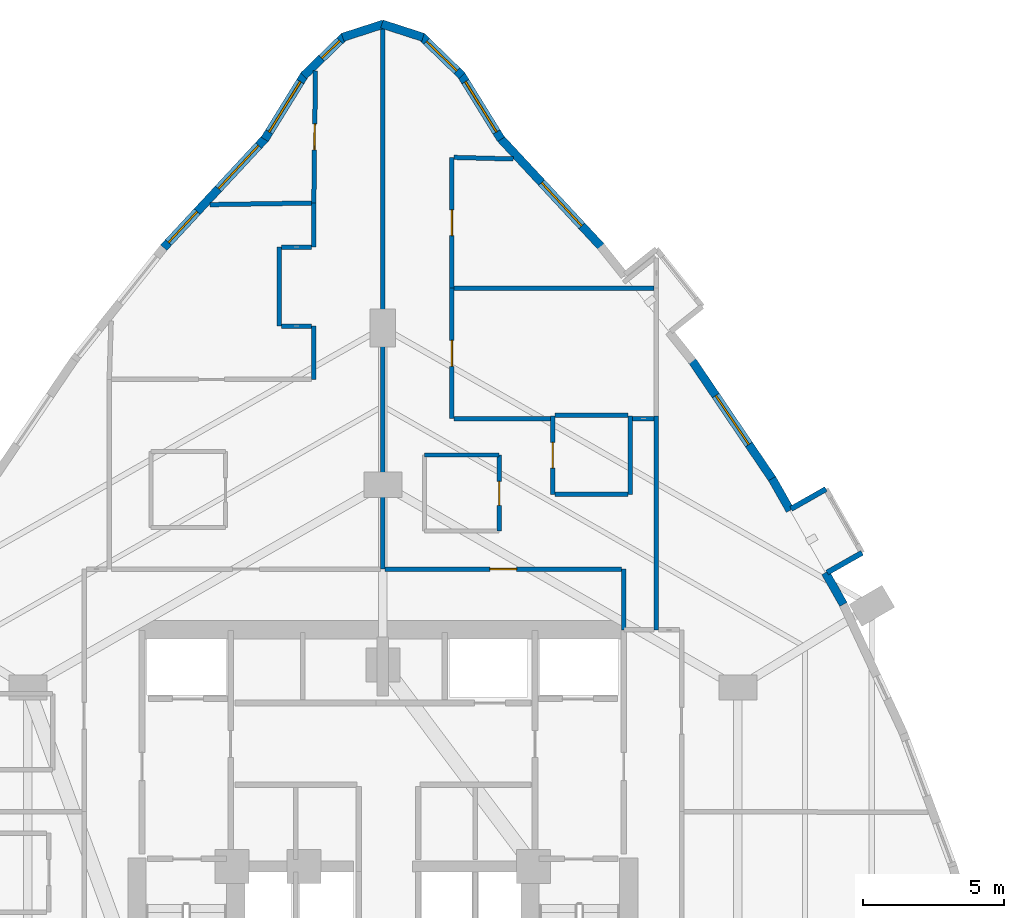
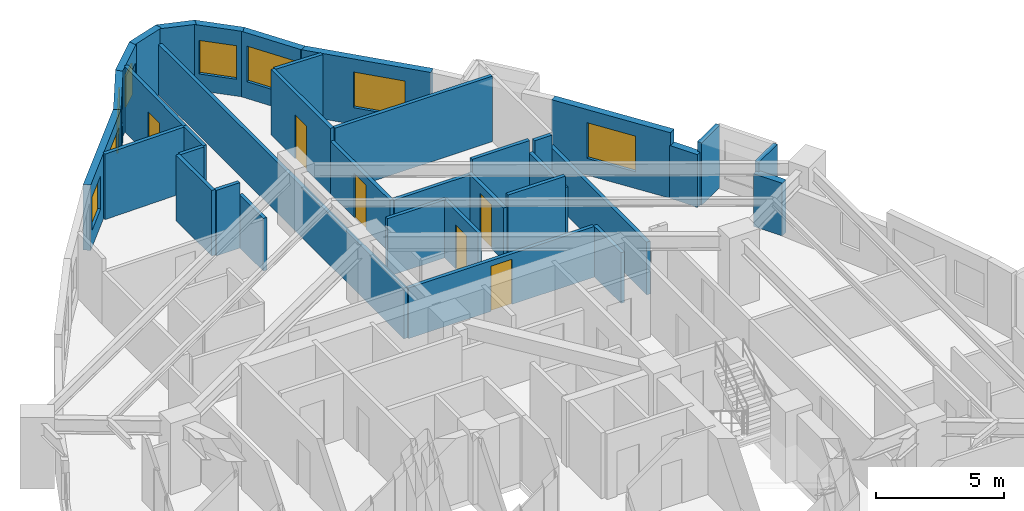
# One storey, part 13 of 15: 36 walls, 8 windows, 6 doors, 14 openings.
"""IFC4 building model written with IfcOpenShell, lengths in metres."""

from ifc_helpers import new_model, si_unit, direction, frame, frame_2d, origin, place, context, subcontext, project, spatial, rectangle, extrude, material, layer, layer_set, type_object, element, fill, save


model = new_model("IFC4")

# Units and contexts
model_context = context("Model", 3, precision=1e-05, world=origin(), true_north=direction((0.0, 1.0)))
body_context = subcontext(model_context, "Body", "Model", "MODEL_VIEW")
ifc_project = project(units=[si_unit("LENGTHUNIT", "METRE"), si_unit("AREAUNIT", "SQUARE_METRE"), si_unit("VOLUMEUNIT", "CUBIC_METRE"), si_unit("PLANEANGLEUNIT", "RADIAN"), si_unit("MASSUNIT", "GRAM", prefix="KILO")], contexts=[model_context])

# Site, building, storey
site_placement = place(None, origin())
site = spatial("IfcSite", under=ifc_project, at=site_placement, CompositionType="ELEMENT")
building_placement = place(site_placement, origin())
building = spatial("IfcBuilding", under=site, at=building_placement, Name="Miruveldt Soraemaru", CompositionType="ELEMENT")
storey_placement = place(building_placement, frame((0.0, 0.0, 83.60009765625)))
storey = spatial("IfcBuildingStorey", under=building, at=storey_placement, Name="L23", CompositionType="ELEMENT", Elevation=83.60009765625)

# Walls
ifc_material_1 = material(Name="White powder-coated aluminium EN AW-6060 T6", Category="aluminium")
ifc_layer_1 = layer(ifc_material_1, 0.18994140625, Name="White powder-coated aluminium EN AW-6060 T6", Category="aluminium")
ifc_layer_set_1 = layer_set([ifc_layer_1], Name="White powder-coated aluminium EN AW-6060 T6")
wall_type_1 = type_object("IfcWallType", Name="WALL-BAY-ALU190", PredefinedType="SOLIDWALL", material=ifc_layer_set_1)
for number, where, z_axis, x_axis, name in (
    (1, (59.7685546875, 54.4794921875, 0.0), (0.0, 0.0, 1.0), (0.869799191674, 0.493405883794, 0.0), "L23 Bay Window Side Cheek 5L"),
    (2, (59.72509765625, 57.444091796875, 0.0), (0.0, 0.0, 1.0), (-0.869799191674, -0.493405883794, 0.0), "L23 Bay Window Side Cheek 5R"),
):
    element("IfcWall", number, at=place(storey_placement, frame(where, z_axis=z_axis, x_axis=x_axis)), inside=storey, type_object=wall_type_1, Name=name, PredefinedType="SOLIDWALL", context=body_context, shape_type="SweptSolid", body=[
        extrude(rectangle(XDim=1.425048828125, YDim=0.18994140625, at=frame_2d((0.71240234375, 0.0))), origin(), (0.0, 0.0, 1.0), 2.974853515625),
    ])

# Wall, opening, window
ifc_material_2 = material(Name="Precast concrete C45/55 (45 MPa)", Category="concrete")
ifc_layer_2 = layer(ifc_material_2, 0.300048828125, Name="Precast concrete C45/55 (45 MPa)", Category="concrete")
ifc_layer_set_2 = layer_set([ifc_layer_2], Name="Precast concrete C45/55 (45 MPa)")
wall_type_2 = type_object("IfcWallType", Name="WALL-EXT-PC300", PredefinedType="SOLIDWALL", material=ifc_layer_set_2)
wall_1_placement = place(storey_placement, frame((48.196044921875, 69.85546875, 0.0), z_axis=(0.0, 0.0, 1.0), x_axis=(-0.526076196346, 0.850437437816, 0.0)))
wall_1 = element("IfcWall", 3, at=wall_1_placement, inside=storey, type_object=wall_type_2, Name="L23 Precast Concrete Facade Wall 1", PredefinedType="SOLIDWALL", context=body_context, shape_type="SweptSolid", body=[
    extrude(rectangle(XDim=2.71728515625, YDim=0.300048828125, at=frame_2d((1.358642578125, 0.0))), origin(), (0.0, 0.0, 1.0), 3.125),
])
opening_1_placement = place(wall_1_placement, frame((0.30810546875, 0.0, 0.800048828125)))
opening_1 = element("IfcOpeningElement", 4, at=opening_1_placement, cuts=wall_1, Name="Opening WN-1", PredefinedType="OPENING", context=body_context, shape_type="SweptSolid", body=[
    extrude(rectangle(XDim=2.10009765625, YDim=1.699951171875, at=frame_2d((1.050048828125, 0.85009765625))), frame((0.0, 0.16015625, 0.0), z_axis=(0.0, -1.0, 0.0), x_axis=(1.0, 0.0, 0.0)), (0.0, 0.0, 1.0), 0.320068359375),
])
ifc_material_3 = material(Name="Triple low-e insulated glazing", Category="glass")
window_type_1 = type_object("IfcWindowType", Name="WIN-PUNCH-2100x1700", PartitioningType="SINGLE_PANEL", PredefinedType="WINDOW", material=ifc_material_3)
window_1_placement = place(opening_1_placement, origin())
window_1 = element("IfcWindow", 5, at=window_1_placement, inside=storey, type_object=window_type_1, Name="L23 Punched Triple-Glazed Window 01.1", OverallHeight=1.699951171875, OverallWidth=2.10009765625, PartitioningType="SINGLE_PANEL", PredefinedType="WINDOW", context=body_context, shape_type="SweptSolid", body=[
    extrude(rectangle(XDim=2.10009765625, YDim=1.699951171875, at=frame_2d((1.050048828125, 0.85009765625))), frame((0.0, 0.030029296875, 0.0), z_axis=(0.0, -1.0, 0.0), x_axis=(1.0, 0.0, 0.0)), (0.0, 0.0, 1.0), 0.06005859375),
])
fill(opening_1, window_1)

wall_2_placement = place(storey_placement, frame((46.810302734375, 72.112060546875, 0.0), z_axis=(0.0, 0.0, 1.0), x_axis=(-0.717834170134, 0.69621412237, 0.0)))
wall_2 = element("IfcWall", 6, at=wall_2_placement, inside=storey, type_object=wall_type_2, Name="L23 Precast Concrete Facade Wall 2", PredefinedType="SOLIDWALL", context=body_context, shape_type="SweptSolid", body=[
    extrude(rectangle(XDim=2.010009765625, YDim=0.300048828125, at=frame_2d((1.0048828125, 0.0))), origin(), (0.0, 0.0, 1.0), 3.125),
])
opening_2_placement = place(wall_2_placement, frame((0.2548828125, 0.0, 0.800048828125)))
opening_2 = element("IfcOpeningElement", 7, at=opening_2_placement, cuts=wall_2, Name="Opening WN-3", PredefinedType="OPENING", context=body_context, shape_type="SweptSolid", body=[
    extrude(rectangle(XDim=1.5, YDim=1.60009765625, at=frame_2d((0.75, 0.800048828125))), frame((0.0, 0.16015625, 0.0), z_axis=(0.0, -1.0, 0.0), x_axis=(1.0, 0.0, 0.0)), (0.0, 0.0, 1.0), 0.320068359375),
])
window_type_2 = type_object("IfcWindowType", Name="WIN-PUNCH-1500x1600", PartitioningType="SINGLE_PANEL", PredefinedType="WINDOW", material=ifc_material_3)
window_2_placement = place(opening_2_placement, origin())
window_2 = element("IfcWindow", 8, at=window_2_placement, inside=storey, type_object=window_type_2, Name="L23 Punched Triple-Glazed Window 02.1", OverallHeight=1.60009765625, OverallWidth=1.5, PartitioningType="SINGLE_PANEL", PredefinedType="WINDOW", context=body_context, shape_type="SweptSolid", body=[
    extrude(rectangle(XDim=1.5, YDim=1.60009765625, at=frame_2d((0.75, 0.800048828125))), frame((0.0, 0.030029296875, 0.0), z_axis=(0.0, -1.0, 0.0), x_axis=(1.0, 0.0, 0.0)), (0.0, 0.0, 1.0), 0.06005859375),
])
fill(opening_2, window_2)

# Walls
for number, where, z_axis, x_axis, name in (
    (9, (45.42578125, 73.476318359375, 0.0), (0.0, 0.0, 1.0), (-0.951510330143, 0.30761679348, 0.0), "L23 Precast Concrete Facade Wall 3"),
    (10, (44.033203125, 73.947998046875, 0.0), (0.0, 0.0, 1.0), (-0.951510330143, -0.30761679348, 0.0), "L23 Precast Concrete Facade Wall 4"),
):
    element("IfcWall", number, at=place(storey_placement, frame(where, z_axis=z_axis, x_axis=x_axis)), inside=storey, type_object=wall_type_2, Name=name, PredefinedType="SOLIDWALL", context=body_context, shape_type="SweptSolid", body=[
        extrude(rectangle(XDim=1.533447265625, YDim=0.300048828125, at=frame_2d((0.7666015625, 0.0))), origin(), (0.0, 0.0, 1.0), 3.125),
    ])

# Wall, opening, window
wall_3_placement = place(storey_placement, frame((42.632568359375, 73.511474609375, 0.0), z_axis=(0.0, 0.0, 1.0), x_axis=(-0.717834170134, -0.69621412237, 0.0)))
wall_3 = element("IfcWall", 11, at=wall_3_placement, inside=storey, type_object=wall_type_2, Name="L23 Precast Concrete Facade Wall 5", PredefinedType="SOLIDWALL", context=body_context, shape_type="SweptSolid", body=[
    extrude(rectangle(XDim=2.010009765625, YDim=0.300048828125, at=frame_2d((1.0048828125, 0.0))), origin(), (0.0, 0.0, 1.0), 3.125),
])
opening_3_placement = place(wall_3_placement, frame((0.222900390625, 0.0, 0.780029296875)))
opening_3 = element("IfcOpeningElement", 12, at=opening_3_placement, cuts=wall_3, Name="Opening WN-7", PredefinedType="OPENING", context=body_context, shape_type="SweptSolid", body=[
    extrude(rectangle(XDim=0.89990234375, YDim=1.5, at=frame_2d((0.449951171875, 0.75))), frame((0.0, 0.16015625, 0.0), z_axis=(0.0, -1.0, 0.0), x_axis=(1.0, 0.0, 0.0)), (0.0, 0.0, 1.0), 0.320068359375),
])
window_type_3 = type_object("IfcWindowType", Name="WIN-PUNCH-900x1500", PartitioningType="SINGLE_PANEL", PredefinedType="WINDOW", material=ifc_material_3)
window_3_placement = place(opening_3_placement, origin())
window_3 = element("IfcWindow", 13, at=window_3_placement, inside=storey, type_object=window_type_3, Name="L23 Punched Triple-Glazed Window 05.1", OverallHeight=1.5, OverallWidth=0.89990234375, PartitioningType="SINGLE_PANEL", PredefinedType="WINDOW", context=body_context, shape_type="SweptSolid", body=[
    extrude(rectangle(XDim=0.89990234375, YDim=1.5, at=frame_2d((0.449951171875, 0.75))), frame((0.0, 0.030029296875, 0.0), z_axis=(0.0, -1.0, 0.0), x_axis=(1.0, 0.0, 0.0)), (0.0, 0.0, 1.0), 0.06005859375),
])
fill(opening_3, window_3)

wall_4_placement = place(storey_placement, frame((41.2333984375, 72.166259765625, 0.0), z_axis=(0.0, 0.0, 1.0), x_axis=(-0.526076196346, -0.850437437816, 0.0)))
wall_4 = element("IfcWall", 14, at=wall_4_placement, inside=storey, type_object=wall_type_2, Name="L23 Precast Concrete Facade Wall 6", PredefinedType="SOLIDWALL", context=body_context, shape_type="SweptSolid", body=[
    extrude(rectangle(XDim=2.71728515625, YDim=0.300048828125, at=frame_2d((1.358642578125, 0.0))), origin(), (0.0, 0.0, 1.0), 3.125),
])
opening_4_placement = place(wall_4_placement, frame((0.30810546875, 0.0, 0.800048828125)))
opening_4 = element("IfcOpeningElement", 15, at=opening_4_placement, cuts=wall_4, Name="Opening WN-1", PredefinedType="OPENING", context=body_context, shape_type="SweptSolid", body=[
    extrude(rectangle(XDim=2.10009765625, YDim=1.699951171875, at=frame_2d((1.050048828125, 0.85009765625))), frame((0.0, 0.16015625, 0.0), z_axis=(0.0, -1.0, 0.0), x_axis=(1.0, 0.0, 0.0)), (0.0, 0.0, 1.0), 0.320068359375),
])
window_4_placement = place(opening_4_placement, origin())
window_4 = element("IfcWindow", 16, at=window_4_placement, inside=storey, type_object=window_type_1, Name="L23 Punched Triple-Glazed Window 06.1", OverallHeight=1.699951171875, OverallWidth=2.10009765625, PartitioningType="SINGLE_PANEL", PredefinedType="WINDOW", context=body_context, shape_type="SweptSolid", body=[
    extrude(rectangle(XDim=2.10009765625, YDim=1.699951171875, at=frame_2d((1.050048828125, 0.85009765625))), frame((0.0, 0.030029296875, 0.0), z_axis=(0.0, -1.0, 0.0), x_axis=(1.0, 0.0, 0.0)), (0.0, 0.0, 1.0), 0.06005859375),
])
fill(opening_4, window_4)

# Wall, openings, windows
wall_5_placement = place(storey_placement, frame((39.84619140625, 69.910888671875, 0.0), z_axis=(0.0, 0.0, 1.0), x_axis=(-0.680888946303, -0.732386675741, 0.0)))
wall_5 = element("IfcWall", 17, at=wall_5_placement, inside=storey, type_object=wall_type_2, Name="L23 Precast Concrete Facade Wall 7", PredefinedType="SOLIDWALL", context=body_context, shape_type="SweptSolid", body=[
    extrude(rectangle(XDim=5.323974609375, YDim=0.300048828125, at=frame_2d((2.662109375, 0.0))), origin(), (0.0, 0.0, 1.0), 3.125),
])
opening_5_placement = place(wall_5_placement, frame((0.373046875, 0.0, 0.800048828125)))
opening_5 = element("IfcOpeningElement", 18, at=opening_5_placement, cuts=wall_5, Name="Opening WN-1", PredefinedType="OPENING", context=body_context, shape_type="SweptSolid", body=[
    extrude(rectangle(XDim=2.10009765625, YDim=1.699951171875, at=frame_2d((1.050048828125, 0.85009765625))), frame((0.0, 0.16015625, 0.0), z_axis=(0.0, -1.0, 0.0), x_axis=(1.0, 0.0, 0.0)), (0.0, 0.0, 1.0), 0.320068359375),
])
opening_6_placement = place(wall_5_placement, frame((3.574951171875, 0.0, 0.800048828125)))
opening_6 = element("IfcOpeningElement", 19, at=opening_6_placement, cuts=wall_5, Name="Opening WN-3", PredefinedType="OPENING", context=body_context, shape_type="SweptSolid", body=[
    extrude(rectangle(XDim=1.5, YDim=1.60009765625, at=frame_2d((0.75, 0.800048828125))), frame((0.0, 0.16015625, 0.0), z_axis=(0.0, -1.0, 0.0), x_axis=(1.0, 0.0, 0.0)), (0.0, 0.0, 1.0), 0.320068359375),
])
window_5_placement = place(opening_6_placement, origin())
window_5 = element("IfcWindow", 20, at=window_5_placement, inside=storey, type_object=window_type_2, Name="L23 Punched Triple-Glazed Window 07.2", OverallHeight=1.60009765625, OverallWidth=1.5, PartitioningType="SINGLE_PANEL", PredefinedType="WINDOW", context=body_context, shape_type="SweptSolid", body=[
    extrude(rectangle(XDim=1.5, YDim=1.60009765625, at=frame_2d((0.75, 0.800048828125))), frame((0.0, 0.030029296875, 0.0), z_axis=(0.0, -1.0, 0.0), x_axis=(1.0, 0.0, 0.0)), (0.0, 0.0, 1.0), 0.06005859375),
])
fill(opening_6, window_5)
window_6_placement = place(opening_5_placement, origin())
window_6 = element("IfcWindow", 21, at=window_6_placement, inside=storey, type_object=window_type_1, Name="L23 Punched Triple-Glazed Window 07.1", OverallHeight=1.699951171875, OverallWidth=2.10009765625, PartitioningType="SINGLE_PANEL", PredefinedType="WINDOW", context=body_context, shape_type="SweptSolid", body=[
    extrude(rectangle(XDim=2.10009765625, YDim=1.699951171875, at=frame_2d((1.050048828125, 0.85009765625))), frame((0.0, 0.030029296875, 0.0), z_axis=(0.0, -1.0, 0.0), x_axis=(1.0, 0.0, 0.0)), (0.0, 0.0, 1.0), 0.06005859375),
])
fill(opening_5, window_6)

# Walls
wall_6_placement = place(storey_placement, frame((60.345703125, 53.3505859375, 0.0), z_axis=(0.0, 0.0, 1.0), x_axis=(-0.493440025399, 0.869779823481, 0.0)))
element("IfcWall", 22, at=wall_6_placement, inside=storey, type_object=wall_type_2, Name="L23 Precast Pier Wall 39A", PredefinedType="SOLIDWALL", context=body_context, shape_type="SweptSolid", body=[
    extrude(rectangle(XDim=1.296875, YDim=0.300048828125, at=frame_2d((0.6484375, 0.0))), origin(), (0.0, 0.0, 1.0), 2.512939453125),
])
wall_7_placement = place(storey_placement, frame((58.45263671875, 56.687744140625, 0.0), z_axis=(0.0, 0.0, 1.0), x_axis=(-0.493297580623, 0.869860619267, 0.0)))
element("IfcWall", 23, at=wall_7_placement, inside=storey, type_object=wall_type_2, Name="L23 Precast Pier Wall 39B", PredefinedType="SOLIDWALL", context=body_context, shape_type="SweptSolid", body=[
    extrude(rectangle(XDim=1.296630859375, YDim=0.300048828125, at=frame_2d((0.6484375, 0.0))), origin(), (0.0, 0.0, 1.0), 2.512939453125),
])

# Wall, opening, window
wall_8_placement = place(storey_placement, frame((57.849853515625, 57.756103515625, 0.0), z_axis=(0.0, 0.0, 1.0), x_axis=(-0.560814703754, 0.827941343365, 0.0)))
wall_8 = element("IfcWall", 24, at=wall_8_placement, inside=storey, type_object=wall_type_2, Name="L23 Precast Concrete Facade Wall 40", PredefinedType="SOLIDWALL", context=body_context, shape_type="SweptSolid", body=[
    extrude(rectangle(XDim=5.165771484375, YDim=0.300048828125, at=frame_2d((2.5830078125, 0.0))), origin(), (0.0, 0.0, 1.0), 3.125),
])
opening_7_placement = place(wall_8_placement, frame((1.532958984375, 0.0, 0.800048828125)))
opening_7 = element("IfcOpeningElement", 25, at=opening_7_placement, cuts=wall_8, Name="Opening WN-1", PredefinedType="OPENING", context=body_context, shape_type="SweptSolid", body=[
    extrude(rectangle(XDim=2.10009765625, YDim=1.699951171875, at=frame_2d((1.050048828125, 0.85009765625))), frame((0.0, 0.16015625, 0.0), z_axis=(0.0, -1.0, 0.0), x_axis=(1.0, 0.0, 0.0)), (0.0, 0.0, 1.0), 0.320068359375),
])
window_7_placement = place(opening_7_placement, origin())
window_7 = element("IfcWindow", 26, at=window_7_placement, inside=storey, type_object=window_type_1, Name="L23 Punched Triple-Glazed Window 40.1", OverallHeight=1.699951171875, OverallWidth=2.10009765625, PartitioningType="SINGLE_PANEL", PredefinedType="WINDOW", context=body_context, shape_type="SweptSolid", body=[
    extrude(rectangle(XDim=2.10009765625, YDim=1.699951171875, at=frame_2d((1.050048828125, 0.85009765625))), frame((0.0, 0.030029296875, 0.0), z_axis=(0.0, -1.0, 0.0), x_axis=(1.0, 0.0, 0.0)), (0.0, 0.0, 1.0), 0.06005859375),
])
fill(opening_7, window_7)

wall_9_placement = place(storey_placement, frame((51.77880859375, 66.01171875, 0.0), z_axis=(0.0, 0.0, 1.0), x_axis=(-0.680888946303, 0.732386675741, 0.0)))
wall_9 = element("IfcWall", 27, at=wall_9_placement, inside=storey, type_object=wall_type_2, Name="L23 Precast Concrete Facade Wall 42", PredefinedType="SOLIDWALL", context=body_context, shape_type="SweptSolid", body=[
    extrude(rectangle(XDim=5.323974609375, YDim=0.300048828125, at=frame_2d((2.662109375, 0.0))), origin(), (0.0, 0.0, 1.0), 3.125),
])
opening_8_placement = place(wall_9_placement, frame((1.054931640625, 0.0, 0.800048828125)))
opening_8 = element("IfcOpeningElement", 28, at=opening_8_placement, cuts=wall_9, Name="Opening WN-1", PredefinedType="OPENING", context=body_context, shape_type="SweptSolid", body=[
    extrude(rectangle(XDim=2.10009765625, YDim=1.699951171875, at=frame_2d((1.050048828125, 0.85009765625))), frame((0.0, 0.16015625, 0.0), z_axis=(0.0, -1.0, 0.0), x_axis=(1.0, 0.0, 0.0)), (0.0, 0.0, 1.0), 0.320068359375),
])
window_8_placement = place(opening_8_placement, origin())
window_8 = element("IfcWindow", 29, at=window_8_placement, inside=storey, type_object=window_type_1, Name="L23 Punched Triple-Glazed Window 42.1", OverallHeight=1.699951171875, OverallWidth=2.10009765625, PartitioningType="SINGLE_PANEL", PredefinedType="WINDOW", context=body_context, shape_type="SweptSolid", body=[
    extrude(rectangle(XDim=2.10009765625, YDim=1.699951171875, at=frame_2d((1.050048828125, 0.85009765625))), frame((0.0, 0.030029296875, 0.0), z_axis=(0.0, -1.0, 0.0), x_axis=(1.0, 0.0, 0.0)), (0.0, 0.0, 1.0), 0.06005859375),
])
fill(opening_8, window_8)

# Wall, opening, door
ifc_material_4 = material(Name="Gypsum plasterboard lining", Category="gypsum")
ifc_layer_3 = layer(ifc_material_4, 0.14990234375, Name="Gypsum plasterboard lining", Category="gypsum")
ifc_layer_set_3 = layer_set([ifc_layer_3], Name="Gypsum plasterboard lining")
wall_type_3 = type_object("IfcWallType", Name="WALL-INT-PLUMB", PredefinedType="PLUMBINGWALL", material=ifc_layer_set_3)
wall_10_placement = place(storey_placement, frame((48.1298828125, 55.95703125, 0.0), z_axis=(0.0, 0.0, 1.0), x_axis=(0.0, 1.0, 0.0)))
wall_10 = element("IfcWall", 30, at=wall_10_placement, inside=storey, type_object=wall_type_3, Name="L23 Partition Wall 34", PredefinedType="PLUMBINGWALL", context=body_context, shape_type="SweptSolid", body=[
    extrude(rectangle(XDim=2.699951171875, YDim=0.14990234375, at=frame_2d((1.35009765625, 0.0))), origin(), (0.0, 0.0, 1.0), 2.762939453125),
])
opening_9_placement = place(wall_10_placement, frame((0.909912109375, 0.0, 0.0)))
opening_9 = element("IfcOpeningElement", 31, at=opening_9_placement, cuts=wall_10, Name="Opening FD3", PredefinedType="OPENING", context=body_context, shape_type="SweptSolid", body=[
    extrude(rectangle(XDim=0.85009765625, YDim=2.10009765625, at=frame_2d((0.425048828125, 1.050048828125))), frame((0.0, 0.0849609375, 0.0), z_axis=(0.0, -1.0, 0.0), x_axis=(1.0, 0.0, 0.0)), (0.0, 0.0, 1.0), 0.169921875),
])
ifc_material_5 = material(Name="Anodised aluminium EN AW-6063 T6", Category="aluminium")
door_type_1 = type_object("IfcDoorType", Name="DOOR-FD3-850", OperationType="NOTDEFINED", PredefinedType="DOOR", material=ifc_material_5)
door_1_placement = place(opening_9_placement, origin())
door_1 = element("IfcDoor", 32, at=door_1_placement, inside=storey, type_object=door_type_1, Name="L23 Unit 2303 BTH Door", OperationType="SINGLE_SWING_LEFT", OverallHeight=2.10009765625, OverallWidth=0.85009765625, PredefinedType="DOOR", context=body_context, shape_type="SweptSolid", body=[
    extrude(rectangle(XDim=0.85009765625, YDim=2.10009765625, at=frame_2d((0.425048828125, 1.050048828125))), frame((0.0, 0.02490234375, 0.0), z_axis=(0.0, -1.0, 0.0), x_axis=(1.0, 0.0, 0.0)), (0.0, 0.0, 1.0), 0.050048828125),
])
fill(opening_9, door_1)

# Wall
wall_11_placement = place(storey_placement, frame((48.1298828125, 58.656982421875, 0.0), z_axis=(0.0, 0.0, 1.0), x_axis=(-1.0, 0.0, 0.0)))
element("IfcWall", 33, at=wall_11_placement, inside=storey, type_object=wall_type_3, Name="L23 Partition Wall 35", PredefinedType="PLUMBINGWALL", context=body_context, shape_type="SweptSolid", body=[
    extrude(rectangle(XDim=2.64990234375, YDim=0.14990234375, at=frame_2d((1.324951171875, 0.0))), origin(), (0.0, 0.0, 1.0), 2.762939453125),
])

# Wall, opening, door
ifc_material_6 = material(Name="Concrete C40/50 (40 MPa)", Category="concrete")
ifc_layer_4 = layer(ifc_material_6, 0.159912109375, Name="Concrete C40/50 (40 MPa)", Category="concrete")
ifc_layer_set_4 = layer_set([ifc_layer_4], Name="Concrete C40/50 (40 MPa)")
wall_type_4 = type_object("IfcWallType", Name="WALL-INT-RC160", PredefinedType="SOLIDWALL", material=ifc_layer_set_4)
wall_12_placement = place(storey_placement, frame((52.469970703125, 54.60009765625, 0.0), z_axis=(0.0, 0.0, 1.0), x_axis=(-1.0, 0.0, 0.0)))
wall_12 = element("IfcWall", 34, at=wall_12_placement, inside=storey, type_object=wall_type_4, Name="L23 Partition Wall 6", PredefinedType="SOLIDWALL", context=body_context, shape_type="SweptSolid", body=[
    extrude(rectangle(XDim=8.389892578125, YDim=0.159912109375, at=frame_2d((4.19482421875, 0.0))), origin(), (0.0, 0.0, 1.0), 2.412841796875),
])
opening_10_placement = place(wall_12_placement, frame((3.719970703125, 0.0, 0.0)))
opening_10 = element("IfcOpeningElement", 35, at=opening_10_placement, cuts=wall_12, Name="Opening FD2", PredefinedType="OPENING", context=body_context, shape_type="SweptSolid", body=[
    extrude(rectangle(XDim=0.949951171875, YDim=2.14990234375, at=frame_2d((0.47509765625, 1.074951171875))), frame((0.0, 0.08984375, 0.0), z_axis=(0.0, -1.0, 0.0), x_axis=(1.0, 0.0, 0.0)), (0.0, 0.0, 1.0), 0.179931640625),
])
door_type_2 = type_object("IfcDoorType", Name="DOOR-FD2-950", OperationType="NOTDEFINED", PredefinedType="DOOR", material=ifc_material_5)
door_2_placement = place(opening_10_placement, origin())
door_2 = element("IfcDoor", 36, at=door_2_placement, inside=storey, type_object=door_type_2, Name="L23 Unit 2303 Entrance Fire Door", OperationType="SINGLE_SWING_RIGHT", OverallHeight=2.14990234375, OverallWidth=0.949951171875, PredefinedType="DOOR", context=body_context, shape_type="SweptSolid", body=[
    extrude(rectangle(XDim=0.949951171875, YDim=2.14990234375, at=frame_2d((0.47509765625, 1.074951171875))), frame((0.0, 0.02490234375, 0.0), z_axis=(0.0, -1.0, 0.0), x_axis=(1.0, 0.0, 0.0)), (0.0, 0.0, 1.0), 0.050048828125),
])
fill(opening_10, door_2)

wall_13_placement = place(storey_placement, frame((41.60888671875, 72.2890625, 0.0), z_axis=(0.0, 0.0, 1.0), x_axis=(-0.012536079815, -0.999921420264, 0.0)))
wall_13 = element("IfcWall", 37, at=wall_13_placement, inside=storey, type_object=wall_type_4, Name="L23 Partition Wall 31", PredefinedType="SOLIDWALL", context=body_context, shape_type="SweptSolid", body=[
    extrude(rectangle(XDim=4.693603515625, YDim=0.159912109375, at=frame_2d((2.3466796875, 0.0))), origin(), (0.0, 0.0, 1.0), 3.125),
])
opening_11_placement = place(wall_13_placement, frame((1.886962890625, 0.0, 0.0)))
opening_11 = element("IfcOpeningElement", 38, at=opening_11_placement, cuts=wall_13, Name="Opening D3A", PredefinedType="OPENING", context=body_context, shape_type="SweptSolid", body=[
    extrude(rectangle(XDim=0.919921875, YDim=2.10009765625, at=frame_2d((0.4599609375, 1.050048828125))), frame((0.0, 0.08984375, 0.0), z_axis=(0.0, -1.0, 0.0), x_axis=(1.0, 0.0, 0.0)), (0.0, 0.0, 1.0), 0.179931640625),
])
door_type_3 = type_object("IfcDoorType", Name="DOOR-INT-920", OperationType="NOTDEFINED", PredefinedType="DOOR", material=ifc_material_5)
door_3_placement = place(opening_11_placement, origin())
door_3 = element("IfcDoor", 39, at=door_3_placement, inside=storey, type_object=door_type_3, Name="L23 Unit 2302 BD2 Door", OperationType="SINGLE_SWING_LEFT", OverallHeight=2.10009765625, OverallWidth=0.919921875, PredefinedType="DOOR", context=body_context, shape_type="SweptSolid", body=[
    extrude(rectangle(XDim=0.919921875, YDim=2.10009765625, at=frame_2d((0.4599609375, 1.050048828125))), frame((0.0, 0.02490234375, 0.0), z_axis=(0.0, -1.0, 0.0), x_axis=(1.0, 0.0, 0.0)), (0.0, 0.0, 1.0), 0.050048828125),
])
fill(opening_11, door_3)

wall_14_placement = place(storey_placement, frame((46.449951171875, 64.577880859375, 0.0), z_axis=(0.0, 0.0, 1.0), x_axis=(0.0, 1.0, 0.0)))
wall_14 = element("IfcWall", 40, at=wall_14_placement, inside=storey, type_object=wall_type_4, Name="L23 Partition Wall 44", PredefinedType="SOLIDWALL", context=body_context, shape_type="SweptSolid", body=[
    extrude(rectangle(XDim=4.63818359375, YDim=0.159912109375, at=frame_2d((2.319091796875, 0.0))), origin(), (0.0, 0.0, 1.0), 3.125),
])
opening_12_placement = place(wall_14_placement, frame((1.85888671875, 0.0, 0.0)))
opening_12 = element("IfcOpeningElement", 41, at=opening_12_placement, cuts=wall_14, Name="Opening D3A", PredefinedType="OPENING", context=body_context, shape_type="SweptSolid", body=[
    extrude(rectangle(XDim=0.919921875, YDim=2.10009765625, at=frame_2d((0.4599609375, 1.050048828125))), frame((0.0, 0.08984375, 0.0), z_axis=(0.0, -1.0, 0.0), x_axis=(1.0, 0.0, 0.0)), (0.0, 0.0, 1.0), 0.179931640625),
])
door_4_placement = place(opening_12_placement, origin())
door_4 = element("IfcDoor", 42, at=door_4_placement, inside=storey, type_object=door_type_3, Name="L23 Unit 2303 BD2 Door", OperationType="SINGLE_SWING_RIGHT", OverallHeight=2.10009765625, OverallWidth=0.919921875, PredefinedType="DOOR", context=body_context, shape_type="SweptSolid", body=[
    extrude(rectangle(XDim=0.919921875, YDim=2.10009765625, at=frame_2d((0.4599609375, 1.050048828125))), frame((0.0, 0.02490234375, 0.0), z_axis=(0.0, -1.0, 0.0), x_axis=(1.0, 0.0, 0.0)), (0.0, 0.0, 1.0), 0.050048828125),
])
fill(opening_12, door_4)

wall_15_placement = place(storey_placement, frame((46.449951171875, 59.94091796875, 0.0), z_axis=(0.0, 0.0, 1.0), x_axis=(0.0, 1.0, 0.0)))
wall_15 = element("IfcWall", 43, at=wall_15_placement, inside=storey, type_object=wall_type_4, Name="L23 Partition Wall 43", PredefinedType="SOLIDWALL", context=body_context, shape_type="SweptSolid", body=[
    extrude(rectangle(XDim=4.636962890625, YDim=0.159912109375, at=frame_2d((2.318359375, 0.0))), origin(), (0.0, 0.0, 1.0), 2.512939453125),
])
opening_13_placement = place(wall_15_placement, frame((1.85888671875, 0.0, 0.0)))
opening_13 = element("IfcOpeningElement", 44, at=opening_13_placement, cuts=wall_15, Name="Opening D3A", PredefinedType="OPENING", context=body_context, shape_type="SweptSolid", body=[
    extrude(rectangle(XDim=0.919921875, YDim=2.10009765625, at=frame_2d((0.4599609375, 1.050048828125))), frame((0.0, 0.08984375, 0.0), z_axis=(0.0, -1.0, 0.0), x_axis=(1.0, 0.0, 0.0)), (0.0, 0.0, 1.0), 0.179931640625),
])
door_5_placement = place(opening_13_placement, origin())
door_5 = element("IfcDoor", 45, at=door_5_placement, inside=storey, type_object=door_type_3, Name="L23 Unit 2303 BD1 Door", OperationType="SINGLE_SWING_LEFT", OverallHeight=2.10009765625, OverallWidth=0.919921875, PredefinedType="DOOR", context=body_context, shape_type="SweptSolid", body=[
    extrude(rectangle(XDim=0.919921875, YDim=2.10009765625, at=frame_2d((0.4599609375, 1.050048828125))), frame((0.0, 0.02490234375, 0.0), z_axis=(0.0, -1.0, 0.0), x_axis=(1.0, 0.0, 0.0)), (0.0, 0.0, 1.0), 0.050048828125),
])
fill(opening_13, door_5)

wall_16_placement = place(storey_placement, frame((50.030029296875, 60.031005859375, 0.0), z_axis=(0.0, 0.0, 1.0), x_axis=(0.0, -1.0, 0.0)))
wall_16 = element("IfcWall", 46, at=wall_16_placement, inside=storey, type_object=wall_type_4, Name="L23 Partition Wall 39", PredefinedType="SOLIDWALL", context=body_context, shape_type="SweptSolid", body=[
    extrude(rectangle(XDim=2.77392578125, YDim=0.159912109375, at=frame_2d((1.386962890625, 0.0))), origin(), (0.0, 0.0, 1.0), 2.512939453125),
])
opening_14_placement = place(wall_16_placement, frame((0.927001953125, 0.0, 0.0)))
opening_14 = element("IfcOpeningElement", 47, at=opening_14_placement, cuts=wall_16, Name="Opening D3A", PredefinedType="OPENING", context=body_context, shape_type="SweptSolid", body=[
    extrude(rectangle(XDim=0.919921875, YDim=2.10009765625, at=frame_2d((0.4599609375, 1.050048828125))), frame((0.0, 0.08984375, 0.0), z_axis=(0.0, -1.0, 0.0), x_axis=(1.0, 0.0, 0.0)), (0.0, 0.0, 1.0), 0.179931640625),
])
door_6_placement = place(opening_14_placement, origin())
door_6 = element("IfcDoor", 48, at=door_6_placement, inside=storey, type_object=door_type_3, Name="L23 Unit 2303 KIT Door", OperationType="SINGLE_SWING_RIGHT", OverallHeight=2.10009765625, OverallWidth=0.919921875, PredefinedType="DOOR", context=body_context, shape_type="SweptSolid", body=[
    extrude(rectangle(XDim=0.919921875, YDim=2.10009765625, at=frame_2d((0.4599609375, 1.050048828125))), frame((0.0, 0.02490234375, 0.0), z_axis=(0.0, -1.0, 0.0), x_axis=(1.0, 0.0, 0.0)), (0.0, 0.0, 1.0), 0.050048828125),
])
fill(opening_14, door_6)

# Walls
wall_17_placement = place(storey_placement, frame((44.0, 54.60009765625, 0.0), z_axis=(0.0, 0.0, 1.0), x_axis=(0.0, 1.0, 0.0)))
element("IfcWall", 49, at=wall_17_placement, inside=storey, type_object=wall_type_4, Name="L23 Partition Wall 32", PredefinedType="SOLIDWALL", context=body_context, shape_type="SweptSolid", body=[
    extrude(rectangle(XDim=19.163818359375, YDim=0.159912109375, at=frame_2d((9.58203125, 0.0))), origin(), (0.0, 0.0, 1.0), 2.412841796875),
])
wall_18_placement = place(storey_placement, frame((53.7099609375, 52.449951171875, 0.0), z_axis=(0.0, 0.0, 1.0), x_axis=(0.0, 1.0, 0.0)))
element("IfcWall", 50, at=wall_18_placement, inside=storey, type_object=wall_type_4, Name="L23 Partition Wall 46", PredefinedType="SOLIDWALL", context=body_context, shape_type="SweptSolid", body=[
    extrude(rectangle(XDim=7.5810546875, YDim=0.159912109375, at=frame_2d((3.79052734375, 0.0))), origin(), (0.0, 0.0, 1.0), 2.512939453125),
])
wall_19_placement = place(storey_placement, frame((53.6298828125, 64.577880859375, 0.0), z_axis=(0.0, 0.0, 1.0), x_axis=(-1.0, 0.0, 0.0)))
element("IfcWall", 51, at=wall_19_placement, inside=storey, type_object=wall_type_4, Name="L23 Partition Wall 48", PredefinedType="SOLIDWALL", context=body_context, shape_type="SweptSolid", body=[
    extrude(rectangle(XDim=7.099853515625, YDim=0.159912109375, at=frame_2d((3.5498046875, 0.0))), origin(), (0.0, 0.0, 1.0), 3.125),
])
wall_20_placement = place(storey_placement, frame((41.469970703125, 67.594970703125, 0.0), z_axis=(0.0, 0.0, 1.0), x_axis=(-0.999875527038, -0.015777529311, 0.0)))
element("IfcWall", 52, at=wall_20_placement, inside=storey, type_object=wall_type_4, Name="L23 Partition Wall 33", PredefinedType="SOLIDWALL", context=body_context, shape_type="SweptSolid", body=[
    extrude(rectangle(XDim=3.60546875, YDim=0.159912109375, at=frame_2d((1.802734375, 0.0))), origin(), (0.0, 0.0, 1.0), 3.125),
])
wall_21_placement = place(storey_placement, frame((49.949951171875, 59.94091796875, 0.0), z_axis=(0.0, 0.0, 1.0), x_axis=(-1.0, 0.0, 0.0)))
element("IfcWall", 53, at=wall_21_placement, inside=storey, type_object=wall_type_4, Name="L23 Partition Wall 42", PredefinedType="SOLIDWALL", context=body_context, shape_type="SweptSolid", body=[
    extrude(rectangle(XDim=3.419921875, YDim=0.159912109375, at=frame_2d((1.7099609375, 0.0))), origin(), (0.0, 0.0, 1.0), 2.512939453125),
])
wall_22_placement = place(storey_placement, frame((40.320068359375, 66.030029296875, 0.0), z_axis=(0.0, 0.0, 1.0), x_axis=(0.0, -1.0, 0.0)))
element("IfcWall", 54, at=wall_22_placement, inside=storey, type_object=wall_type_4, Name="L23 Partition Wall 27", PredefinedType="SOLIDWALL", context=body_context, shape_type="SweptSolid", body=[
    extrude(rectangle(XDim=2.800048828125, YDim=0.159912109375, at=frame_2d((1.39990234375, 0.0))), origin(), (0.0, 0.0, 1.0), 3.125),
])
wall_23_placement = place(storey_placement, frame((52.780029296875, 57.257080078125, 0.0), z_axis=(0.0, 0.0, 1.0), x_axis=(0.0, 1.0, 0.0)))
element("IfcWall", 55, at=wall_23_placement, inside=storey, type_object=wall_type_4, Name="L23 Partition Wall 38", PredefinedType="SOLIDWALL", context=body_context, shape_type="SweptSolid", body=[
    extrude(rectangle(XDim=2.77392578125, YDim=0.159912109375, at=frame_2d((1.386962890625, 0.0))), origin(), (0.0, 0.0, 1.0), 2.512939453125),
])
for number, where, z_axis, x_axis, name in (
    (56, (50.110107421875, 57.257080078125, 0.0), (0.0, 0.0, 1.0), (1.0, 0.0, 0.0), "L23 Partition Wall 40"),
    (57, (52.699951171875, 60.056884765625, 0.0), (0.0, 0.0, 1.0), (-1.0, 0.0, 0.0), "L23 Partition Wall 47"),
):
    element("IfcWall", number, at=place(storey_placement, frame(where, z_axis=z_axis, x_axis=x_axis)), inside=storey, type_object=wall_type_4, Name=name, PredefinedType="SOLIDWALL", context=body_context, shape_type="SweptSolid", body=[
        extrude(rectangle(XDim=2.58984375, YDim=0.159912109375, at=frame_2d((1.294921875, 0.0))), origin(), (0.0, 0.0, 1.0), 3.125),
    ])
wall_24_placement = place(storey_placement, frame((52.550048828125, 52.449951171875, 0.0), z_axis=(0.0, 0.0, 1.0), x_axis=(0.0, 1.0, 0.0)))
element("IfcWall", 58, at=wall_24_placement, inside=storey, type_object=wall_type_4, Name="L23 Partition Wall 5", PredefinedType="SOLIDWALL", context=body_context, shape_type="SweptSolid", body=[
    extrude(rectangle(XDim=2.150146484375, YDim=0.159912109375, at=frame_2d((1.0751953125, 0.0))), origin(), (0.0, 0.0, 1.0), 2.412841796875),
])
wall_25_placement = place(storey_placement, frame((46.530029296875, 69.214111328125, 0.0), z_axis=(0.0, 0.0, 1.0), x_axis=(0.999641983719, -0.026756389649, 0.0)))
element("IfcWall", 59, at=wall_25_placement, inside=storey, type_object=wall_type_4, Name="L23 Partition Wall 45", PredefinedType="SOLIDWALL", context=body_context, shape_type="SweptSolid", body=[
    extrude(rectangle(XDim=2.0986328125, YDim=0.159912109375, at=frame_2d((1.04931640625, 0.0))), origin(), (0.0, 0.0, 1.0), 3.125),
])
wall_26_placement = place(storey_placement, frame((41.550048828125, 63.22998046875, 0.0), z_axis=(0.0, 0.0, 1.0), x_axis=(0.0, -1.0, 0.0)))
element("IfcWall", 60, at=wall_26_placement, inside=storey, type_object=wall_type_4, Name="L23 Partition Wall 29", PredefinedType="SOLIDWALL", context=body_context, shape_type="SweptSolid", body=[
    extrude(rectangle(XDim=1.890869140625, YDim=0.159912109375, at=frame_2d((0.9453125, 0.0))), origin(), (0.0, 0.0, 1.0), 2.512939453125),
])
wall_27_placement = place(storey_placement, frame((41.550048828125, 67.595947265625, 0.0), z_axis=(0.0, 0.0, 1.0), x_axis=(0.0, -1.0, 0.0)))
element("IfcWall", 61, at=wall_27_placement, inside=storey, type_object=wall_type_4, Name="L23 Partition Wall 25", PredefinedType="SOLIDWALL", context=body_context, shape_type="SweptSolid", body=[
    extrude(rectangle(XDim=1.56591796875, YDim=0.159912109375, at=frame_2d((0.782958984375, 0.0))), origin(), (0.0, 0.0, 1.0), 3.125),
])
for number, where, z_axis, x_axis, name in (
    (62, (41.469970703125, 66.030029296875, 0.0), (0.0, 0.0, 1.0), (-1.0, 0.0, 0.0), "L23 Partition Wall 26"),
    (63, (40.39990234375, 63.22998046875, 0.0), (0.0, 0.0, 1.0), (1.0, 0.0, 0.0), "L23 Partition Wall 28"),
):
    element("IfcWall", number, at=place(storey_placement, frame(where, z_axis=z_axis, x_axis=x_axis)), inside=storey, type_object=wall_type_4, Name=name, PredefinedType="SOLIDWALL", context=body_context, shape_type="SweptSolid", body=[
        extrude(rectangle(XDim=1.070068359375, YDim=0.159912109375, at=frame_2d((0.53515625, 0.0))), origin(), (0.0, 0.0, 1.0), 3.125),
    ])
wall_28_placement = place(storey_placement, frame((53.6298828125, 59.94091796875, 0.0), z_axis=(0.0, 0.0, 1.0), x_axis=(-1.0, 0.0, 0.0)))
element("IfcWall", 64, at=wall_28_placement, inside=storey, type_object=wall_type_4, Name="L23 Partition Wall 41", PredefinedType="SOLIDWALL", context=body_context, shape_type="SweptSolid", body=[
    extrude(rectangle(XDim=0.769775390625, YDim=0.159912109375, at=frame_2d((0.384765625, 0.0))), origin(), (0.0, 0.0, 1.0), 3.125),
])

save(model, "model.ifc")
